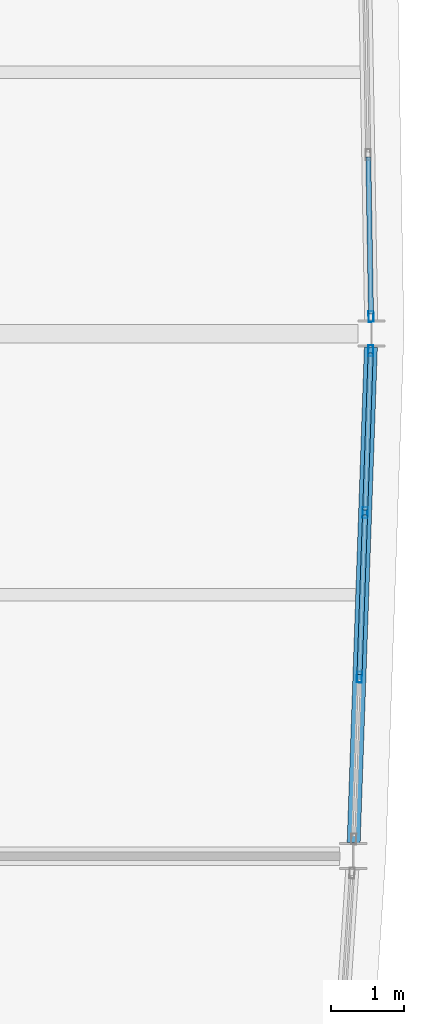
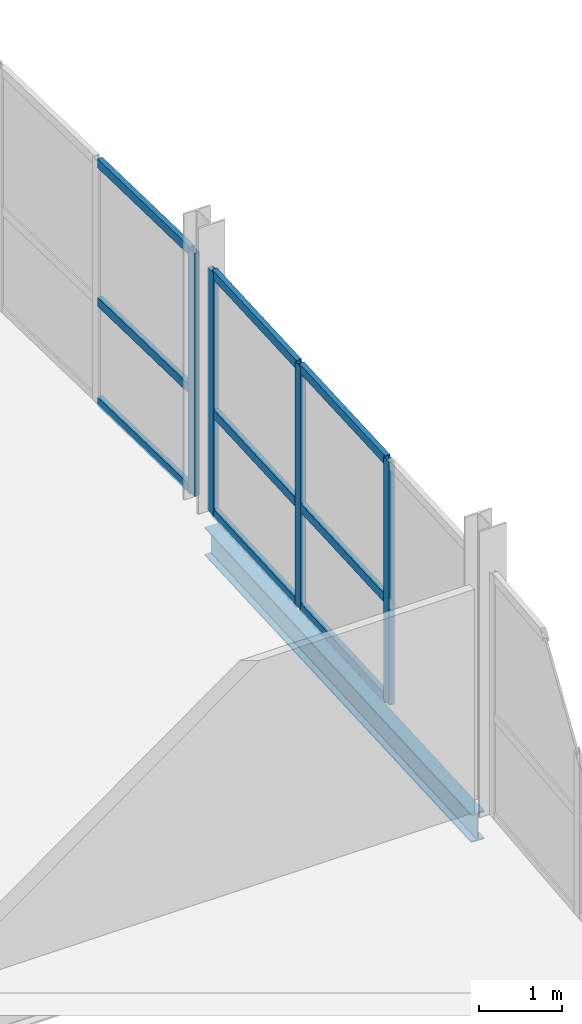
# One storey, part 5 of 20: 13 members, 1 beam, 2 elements without a shape of their own.
"""IFC4 building model written with IfcOpenShell, lengths in metres."""

from ifc_helpers import new_model, si_unit, direction, frame, origin, origin_2d, place, context, subcontext, project, spatial, hollow_rectangle, i_section, extrude, material, layer, layer_set, material_profile, profile_set, type_object, element, aggregate, save


model = new_model("IFC4")

# Units and contexts
model_context = context("Model", 3, precision=1e-05, world=origin(), true_north=direction((0.0, 1.0)))
body_context = subcontext(model_context, "Body", "Model", "MODEL_VIEW")
ifc_project = project(units=[si_unit("LENGTHUNIT", "METRE"), si_unit("AREAUNIT", "SQUARE_METRE"), si_unit("VOLUMEUNIT", "CUBIC_METRE"), si_unit("PLANEANGLEUNIT", "RADIAN"), si_unit("MASSUNIT", "GRAM", prefix="KILO")], contexts=[model_context])

# Site, building, storey
site_placement = place(None, origin())
site = spatial("IfcSite", under=ifc_project, at=site_placement, CompositionType="ELEMENT")
building_placement = place(site_placement, origin())
building = spatial("IfcBuilding", under=site, at=building_placement, Name="Quillay Park Conservatory", CompositionType="ELEMENT")
storey_placement = place(building_placement, frame((0.0, 0.0, 26.699951171875)))
storey = spatial("IfcBuildingStorey", under=building, at=storey_placement, Name="L06", CompositionType="ELEMENT", Elevation=26.699951171875)

# Curtain wall, members
ifc_material_1 = material(Name="Thermally Broken Anodised Aluminium 6063-T6", Category="aluminium")
ifc_layer = layer(ifc_material_1, 0.199951171875)
ifc_layer_set = layer_set([ifc_layer], Name="UNITISED CURTAIN WALL HERBARIUM (Thermally Broken Anodised Aluminium 6063-T6)")
curtain_wall_type = type_object("IfcCurtainWallType", Name="UNITISED CURTAIN WALL HERBARIUM", PredefinedType="USERDEFINED", material=ifc_layer_set)
curtain_wall_1_placement = place(storey_placement, origin())
curtain_wall_1 = element("IfcCurtainWall", 1, at=curtain_wall_1_placement, inside=storey, type_object=curtain_wall_type, Name="L06 Unitised Curtain Wall 060", ObjectType="UNITISED CURTAIN WALL", PredefinedType="USERDEFINED")
ifc_material_2 = material(Name="Thermally Broken Anodised Aluminium 6063-T6", Category="aluminium")
ifc_material_profile_1 = material_profile(ifc_material_2, hollow_rectangle(XDim=0.070068359375, YDim=0.14990234375, WallThickness=0.00341796875, at=origin_2d()), Name="AL70x150x3.5")
ifc_profile_set_1 = profile_set([ifc_material_profile_1], Name="Thermally Broken Anodised Aluminium 6063-T6")
member_type_1 = type_object("IfcMemberType", Name="CURTAIN WALL MULLION 70 X150", PredefinedType="MULLION", material=ifc_profile_set_1)
member_1_placement = place(storey_placement, frame((28.1669921875, 84.965087890625, 0.0), z_axis=(0.0, 0.0, 1.0), x_axis=(0.999397310446, -0.034713338537, 0.0)))
member_1 = element("IfcMember", 2, at=member_1_placement, type_object=member_type_1, Name="CW-T2 mullion 1", PredefinedType="MULLION", context=body_context, shape_type="SweptSolid", body=[
    extrude(hollow_rectangle(XDim=0.070068359375, YDim=0.14990234375, WallThickness=0.00341796875, at=origin_2d()), origin(), (0.0, 0.0, 1.0), 3.569091796875),
])
member_2_placement = place(storey_placement, frame((28.08935546875, 82.7333984375, 0.0), z_axis=(0.0, 0.0, 1.0), x_axis=(0.999397310446, -0.034713338537, 0.0)))
member_2 = element("IfcMember", 3, at=member_2_placement, type_object=member_type_1, Name="CW-T2 mullion 2", PredefinedType="MULLION", context=body_context, shape_type="SweptSolid", body=[
    extrude(hollow_rectangle(XDim=0.070068359375, YDim=0.14990234375, WallThickness=0.00341796875, at=origin_2d()), origin(), (0.0, 0.0, 1.0), 3.569091796875),
])
member_3_placement = place(storey_placement, frame((28.0107421875, 80.466552734375, 0.0), z_axis=(0.0, 0.0, 1.0), x_axis=(0.999397310446, -0.034713338537, 0.0)))
member_3 = element("IfcMember", 4, at=member_3_placement, type_object=member_type_1, Name="CW-T2 mullion 3", PredefinedType="MULLION", context=body_context, shape_type="SweptSolid", body=[
    extrude(hollow_rectangle(XDim=0.070068359375, YDim=0.14990234375, WallThickness=0.00341796875, at=origin_2d()), origin(), (0.0, 0.0, 1.0), 3.569091796875),
])

# Curtain wall, member
curtain_wall_2_placement = place(storey_placement, origin())
curtain_wall_2 = element("IfcCurtainWall", 5, at=curtain_wall_2_placement, inside=storey, type_object=curtain_wall_type, Name="L06 Unitised Curtain Wall 061", ObjectType="UNITISED CURTAIN WALL", PredefinedType="USERDEFINED")
member_4_placement = place(storey_placement, frame((28.1708984375, 85.43505859375, 0.0), z_axis=(0.0, 0.0, 1.0), x_axis=(0.999849471711, 0.017350329071, 0.0)))
member_4 = element("IfcMember", 6, at=member_4_placement, type_object=member_type_1, Name="CW-T2 mullion 4", PredefinedType="MULLION", context=body_context, shape_type="SweptSolid", body=[
    extrude(hollow_rectangle(XDim=0.070068359375, YDim=0.14990234375, WallThickness=0.00341796875, at=origin_2d()), origin(), (0.0, 0.0, 1.0), 3.569091796875),
])

# Member
ifc_material_3 = material(Name="Thermally Broken Anodised Aluminium 6063-T6", Category="aluminium")
ifc_material_profile_2 = material_profile(ifc_material_3, hollow_rectangle(XDim=0.070068359375, YDim=0.1298828125, WallThickness=0.003173828125, at=origin_2d()), Name="AL70x130x3.2")
ifc_profile_set_2 = profile_set([ifc_material_profile_2], Name="Thermally Broken Anodised Aluminium 6063-T6")
member_type_2 = type_object("IfcMemberType", Name="CURTAIN WALL TRANSOM 70 X130", PredefinedType="USERDEFINED", material=ifc_profile_set_2)
member_5_placement = place(storey_placement, frame((28.165771484375, 84.93017578125, 0.03515625), z_axis=(-0.034761587249, -0.999395633396, 0.0), x_axis=(0.999395633396, -0.034761587249, 0.0)))
member_5 = element("IfcMember", 7, at=member_5_placement, type_object=member_type_2, Name="CW-T2 transom 1.1", ObjectType="TRANSOM", PredefinedType="USERDEFINED", context=body_context, shape_type="SweptSolid", body=[
    extrude(hollow_rectangle(XDim=0.070068359375, YDim=0.1298828125, WallThickness=0.003173828125, at=origin_2d()), origin(), (0.0, 0.0, 1.0), 2.1630859375),
])

member_6_placement = place(storey_placement, frame((28.165771484375, 84.93017578125, 1.4990234375), z_axis=(-0.034761587249, -0.999395633396, 0.0), x_axis=(0.999395633396, -0.034761587249, 0.0)))
member_6 = element("IfcMember", 8, at=member_6_placement, type_object=member_type_2, Name="CW-T2 transom 1.2", ObjectType="TRANSOM", PredefinedType="USERDEFINED", context=body_context, shape_type="SweptSolid", body=[
    extrude(hollow_rectangle(XDim=0.070068359375, YDim=0.1298828125, WallThickness=0.003173828125, at=origin_2d()), origin(), (0.0, 0.0, 1.0), 2.1630859375),
])

member_7_placement = place(storey_placement, frame((28.165771484375, 84.93017578125, 3.533935546875), z_axis=(-0.034761587249, -0.999395633396, 0.0), x_axis=(0.999395633396, -0.034761587249, 0.0)))
member_7 = element("IfcMember", 9, at=member_7_placement, type_object=member_type_2, Name="CW-T2 transom 1.3", ObjectType="TRANSOM", PredefinedType="USERDEFINED", context=body_context, shape_type="SweptSolid", body=[
    extrude(hollow_rectangle(XDim=0.070068359375, YDim=0.1298828125, WallThickness=0.003173828125, at=origin_2d()), origin(), (0.0, 0.0, 1.0), 2.1630859375),
])

member_8_placement = place(storey_placement, frame((28.088134765625, 82.698486328125, 0.03515625), z_axis=(-0.034653546152, -0.999399385501, 0.0), x_axis=(0.999399385501, -0.034653546152, 0.0)))
member_8 = element("IfcMember", 10, at=member_8_placement, type_object=member_type_2, Name="CW-T2 transom 2.1", ObjectType="TRANSOM", PredefinedType="USERDEFINED", context=body_context, shape_type="SweptSolid", body=[
    extrude(hollow_rectangle(XDim=0.070068359375, YDim=0.1298828125, WallThickness=0.003173828125, at=origin_2d()), origin(), (0.0, 0.0, 1.0), 2.197998046875),
])

member_9_placement = place(storey_placement, frame((28.088134765625, 82.698486328125, 1.4990234375), z_axis=(-0.034653546152, -0.999399385501, 0.0), x_axis=(0.999399385501, -0.034653546152, 0.0)))
member_9 = element("IfcMember", 11, at=member_9_placement, type_object=member_type_2, Name="CW-T2 transom 2.2", ObjectType="TRANSOM", PredefinedType="USERDEFINED", context=body_context, shape_type="SweptSolid", body=[
    extrude(hollow_rectangle(XDim=0.070068359375, YDim=0.1298828125, WallThickness=0.003173828125, at=origin_2d()), origin(), (0.0, 0.0, 1.0), 2.197998046875),
])

member_10_placement = place(storey_placement, frame((28.088134765625, 82.698486328125, 3.533935546875), z_axis=(-0.034653546152, -0.999399385501, 0.0), x_axis=(0.999399385501, -0.034653546152, 0.0)))
member_10 = element("IfcMember", 12, at=member_10_placement, type_object=member_type_2, Name="CW-T2 transom 2.3", ObjectType="TRANSOM", PredefinedType="USERDEFINED", context=body_context, shape_type="SweptSolid", body=[
    extrude(hollow_rectangle(XDim=0.070068359375, YDim=0.1298828125, WallThickness=0.003173828125, at=origin_2d()), origin(), (0.0, 0.0, 1.0), 2.197998046875),
])

aggregate(curtain_wall_1, [member_1, member_2, member_3, member_5, member_6, member_7, member_8, member_9, member_10])

member_11_placement = place(storey_placement, frame((28.1328125, 87.631591796875, 0.03515625), z_axis=(0.017277745819, -0.999850728609, 0.0), x_axis=(0.999850728609, 0.017277745819, 0.0)))
member_11 = element("IfcMember", 13, at=member_11_placement, type_object=member_type_2, Name="CW-T2 transom 3.1", ObjectType="TRANSOM", PredefinedType="USERDEFINED", context=body_context, shape_type="SweptSolid", body=[
    extrude(hollow_rectangle(XDim=0.070068359375, YDim=0.1298828125, WallThickness=0.003173828125, at=origin_2d()), origin(), (0.0, 0.0, 1.0), 2.161865234375),
])

member_12_placement = place(storey_placement, frame((28.1328125, 87.631591796875, 1.4990234375), z_axis=(0.017277745819, -0.999850728609, 0.0), x_axis=(0.999850728609, 0.017277745819, 0.0)))
member_12 = element("IfcMember", 14, at=member_12_placement, type_object=member_type_2, Name="CW-T2 transom 3.2", ObjectType="TRANSOM", PredefinedType="USERDEFINED", context=body_context, shape_type="SweptSolid", body=[
    extrude(hollow_rectangle(XDim=0.070068359375, YDim=0.1298828125, WallThickness=0.003173828125, at=origin_2d()), origin(), (0.0, 0.0, 1.0), 2.161865234375),
])

member_13_placement = place(storey_placement, frame((28.1328125, 87.631591796875, 3.533935546875), z_axis=(0.017277745819, -0.999850728609, 0.0), x_axis=(0.999850728609, 0.017277745819, 0.0)))
member_13 = element("IfcMember", 15, at=member_13_placement, type_object=member_type_2, Name="CW-T2 transom 3.3", ObjectType="TRANSOM", PredefinedType="USERDEFINED", context=body_context, shape_type="SweptSolid", body=[
    extrude(hollow_rectangle(XDim=0.070068359375, YDim=0.1298828125, WallThickness=0.003173828125, at=origin_2d()), origin(), (0.0, 0.0, 1.0), 2.161865234375),
])

aggregate(curtain_wall_2, [member_4, member_11, member_12, member_13])

# Beam
ifc_material_4 = material(Name="Steel ASTM A992 Grade 50", Category="steel")
ifc_material_profile_3 = material_profile(ifc_material_4, i_section(OverallWidth=0.179931640625, OverallDepth=0.4130859375, WebThickness=0.009765625, FlangeThickness=0.01611328125, FilletRadius=0.011962890625, at=origin_2d()), Name="W410x74")
ifc_profile_set_3 = profile_set([ifc_material_profile_3], Name="Steel ASTM A992 Grade 50")
beam_type = type_object("IfcBeamType", Name="PERIMETER SPANDREL BEAM W410 X74", PredefinedType="SPANDREL", material=ifc_profile_set_3)
beam_placement = place(storey_placement, frame((27.931396484375, 78.185791015625, -0.426513671875), z_axis=(0.034696105314, 0.999397908881, 0.0), x_axis=(-0.999397908881, 0.034696105314, 0.0)))
element("IfcBeam", 16, at=beam_placement, inside=storey, type_object=beam_type, Name="L06 beam BM-SPE-0485", PredefinedType="SPANDREL", context=body_context, shape_type="SweptSolid", body=[
    extrude(i_section(OverallWidth=0.179931640625, OverallDepth=0.4130859375, WebThickness=0.009765625, FlangeThickness=0.01611328125, FilletRadius=0.011962890625, at=origin_2d()), origin(), (0.0, 0.0, 1.0), 6.83251953125),
])

save(model, "model.ifc")
